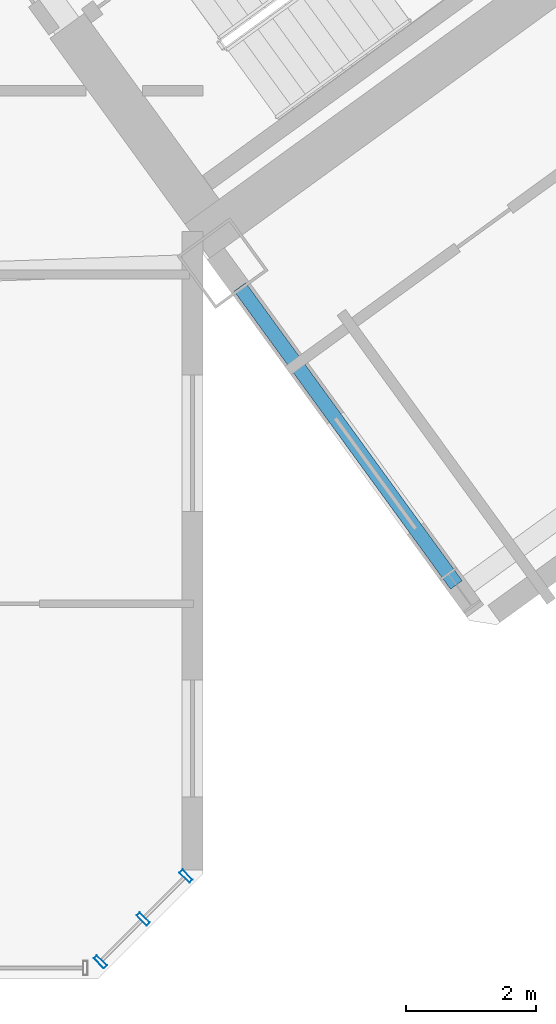
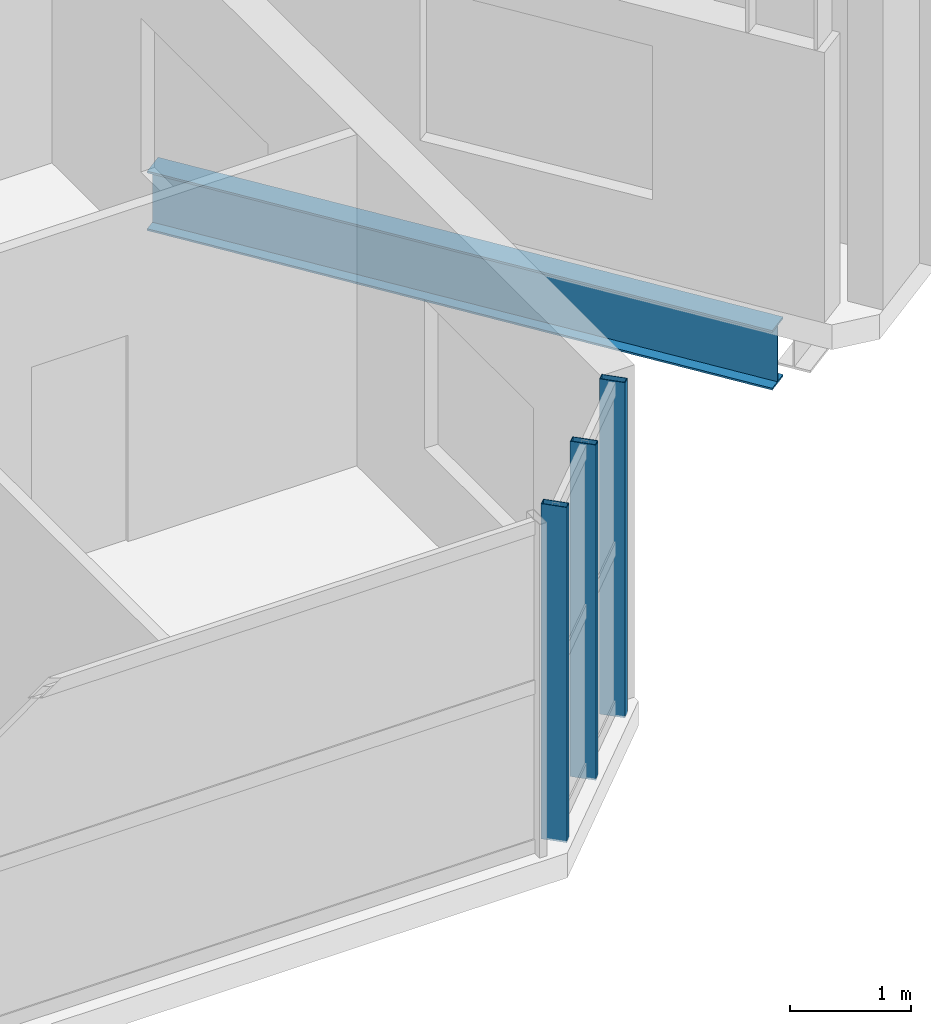
# One storey, part 9 of 24: 3 members, 1 beam, 1 element without a shape of its own.
"""IFC4 building model written with IfcOpenShell, lengths in metres."""

from ifc_helpers import new_model, si_unit, direction, frame, origin, origin_2d, place, context, subcontext, project, spatial, hollow_rectangle, i_section, extrude, source, transform, mapped, material, material_profile, profile_set, type_object, element, aggregate, save


model = new_model("IFC4")

# Units and contexts
model_context = context("Model", 3, precision=1e-05, world=origin(), true_north=direction((0.0, 1.0)))
body_context = subcontext(model_context, "Body", "Model", "MODEL_VIEW")
ifc_project = project(units=[si_unit("LENGTHUNIT", "METRE"), si_unit("AREAUNIT", "SQUARE_METRE"), si_unit("VOLUMEUNIT", "CUBIC_METRE"), si_unit("PLANEANGLEUNIT", "RADIAN"), si_unit("MASSUNIT", "GRAM", prefix="KILO")], contexts=[model_context])

# Site, building, storey
site_placement = place(None, origin())
site = spatial("IfcSite", under=ifc_project, at=site_placement, CompositionType="ELEMENT")
building_placement = place(site_placement, origin())
building = spatial("IfcBuilding", under=site, at=building_placement, Name="Tlacorven Tower", CompositionType="ELEMENT")
storey_placement = place(building_placement, frame((0.0, 0.0, 60.0)))
storey = spatial("IfcBuildingStorey", under=building, at=storey_placement, Name="L15", CompositionType="ELEMENT", Elevation=60.0)

# Beam
ifc_material_1 = material(Name="Steel S355J2", Category="steel")
ifc_material_profile_1 = material_profile(ifc_material_1, i_section(OverallWidth=0.219970703125, OverallDepth=0.60009765625, WebThickness=0.011962890625, FlangeThickness=0.01904296875, at=origin_2d()), Name="IPE 600")
ifc_profile_set_1 = profile_set([ifc_material_profile_1], Name="Steel S355J2")
beam_type = type_object("IfcBeamType", Name="BM-TWR-600", PredefinedType="BEAM", material=ifc_profile_set_1)
shared_shape_1 = source(origin(), body_context, "Body", "SweptSolid", [
    extrude(i_section(OverallWidth=0.219970703125, OverallDepth=0.60009765625, WebThickness=0.011962890625, FlangeThickness=0.01904296875, at=origin_2d()), origin(), (0.0, 0.0, 1.0), 5.650146484375),
])
beam_placement = place(storey_placement, frame((56.291015625, 7.83837890625, -0.550048828125), z_axis=(-0.587783675561, 0.809018139935, 0.0), x_axis=(-0.809018139935, -0.587783675561, 0.0)))
element("IfcBeam", 1, at=beam_placement, inside=storey, type_object=beam_type, Name="L15 beam BM-L15-ET1-1", PredefinedType="BEAM", context=body_context, shape_type="MappedRepresentation", body=[
    mapped(shared_shape_1, transform((0.0, 0.0, 0.0), scale=1.0)),
])

# Curtain wall, members
ifc_material_2 = material(Name="Dark solar low-E double glazing in aluminium frame", Category="aluminium")
curtain_wall_type = type_object("IfcCurtainWallType", Name="CW-TWR-LOW", PredefinedType="USERDEFINED", material=ifc_material_2)
curtain_wall_placement = place(storey_placement, origin())
curtain_wall = element("IfcCurtainWall", 2, at=curtain_wall_placement, inside=storey, type_object=curtain_wall_type, Name="L15 CW-TWR-LOW Curtain Wall 81", ObjectType="UNITISED CURTAIN WALL", PredefinedType="USERDEFINED")
ifc_material_3 = material(Name="Aluminium 6063-T6 anodised", Category="aluminium")
ifc_material_profile_2 = material_profile(ifc_material_3, hollow_rectangle(XDim=0.070068359375, YDim=0.219970703125, WallThickness=0.0048828125, at=origin_2d()), Name="ALU MULLION 70X220")
ifc_profile_set_2 = profile_set([ifc_material_profile_2], Name="Aluminium 6063-T6 anodised")
member_type = type_object("IfcMemberType", Name="CWM-01", PredefinedType="MULLION", material=ifc_profile_set_2)
shared_shape_2 = source(origin(), body_context, "Body", "SweptSolid", [
    extrude(hollow_rectangle(XDim=0.070068359375, YDim=0.219970703125, WallThickness=0.0048828125, at=origin_2d()), origin(), (0.0, 0.0, 1.0), 3.380126953125),
])
member_1_placement = place(storey_placement, frame((52.14453125, 3.370849609375, -0.02001953125), z_axis=(0.0, 0.0, 1.0), x_axis=(-0.707106781187, -0.707106781187, 0.0)))
member_1 = element("IfcMember", 3, at=member_1_placement, type_object=member_type, Name="CW-L15-081 Mullion 1", PredefinedType="MULLION", context=body_context, shape_type="MappedRepresentation", body=[
    mapped(shared_shape_2, transform((0.0, 0.0, 0.0), scale=1.0)),
])
member_2_placement = place(storey_placement, frame((51.48681640625, 2.713134765625, -0.02001953125), z_axis=(0.0, 0.0, 1.0), x_axis=(-0.707106781187, -0.707106781187, 0.0)))
member_2 = element("IfcMember", 4, at=member_2_placement, type_object=member_type, Name="CW-L15-081 Mullion 2", PredefinedType="MULLION", context=body_context, shape_type="MappedRepresentation", body=[
    mapped(shared_shape_2, transform((0.0, 0.0, 0.0), scale=1.0)),
])
member_3_placement = place(storey_placement, frame((50.8291015625, 2.055419921875, -0.02001953125), z_axis=(0.0, 0.0, 1.0), x_axis=(-0.707106781187, -0.707106781187, 0.0)))
member_3 = element("IfcMember", 5, at=member_3_placement, type_object=member_type, Name="CW-L15-081 Mullion 3", PredefinedType="MULLION", context=body_context, shape_type="MappedRepresentation", body=[
    mapped(shared_shape_2, transform((0.0, 0.0, 0.0), scale=1.0)),
])
aggregate(curtain_wall, [member_1, member_2, member_3])

save(model, "model.ifc")
